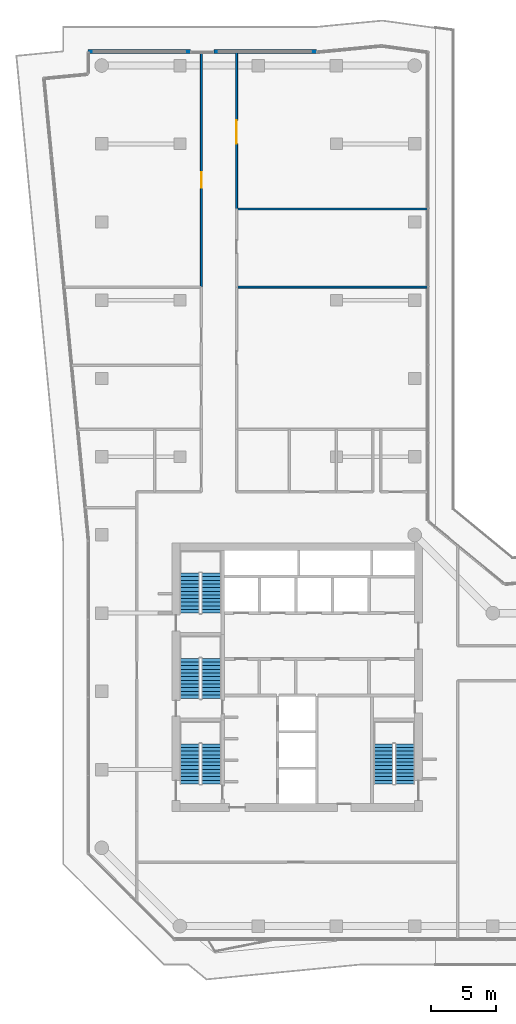
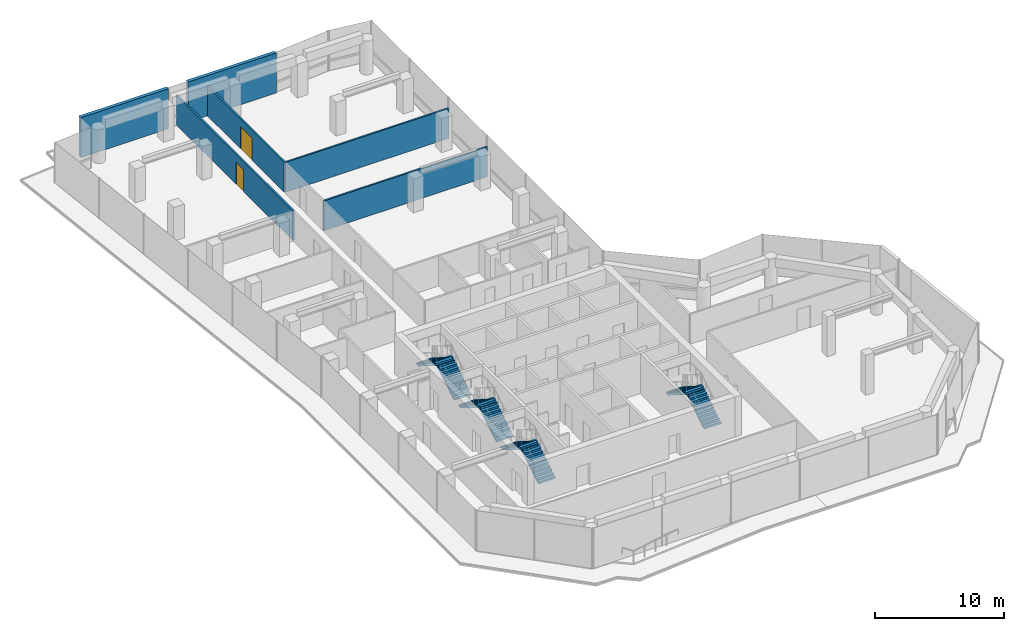
# One storey, part 20 of 22: 8 stair flights, 6 walls, 2 doors, 2 openings, 4 elements without a shape of their own.
"""IFC4 building model written with IfcOpenShell, lengths in metres."""

from ifc_helpers import new_model, si_unit, direction, frame, frame_2d, origin, place, context, subcontext, project, spatial, polyline, rectangle, outline, extrude, material, layer, layer_set, type_object, element, fill, aggregate, save


model = new_model("IFC4")

# Units and contexts
model_context = context("Model", 3, precision=1e-05, world=origin(), true_north=direction((0.0, 1.0)))
body_context = subcontext(model_context, "Body", "Model", "MODEL_VIEW")
ifc_project = project(units=[si_unit("LENGTHUNIT", "METRE"), si_unit("AREAUNIT", "SQUARE_METRE"), si_unit("VOLUMEUNIT", "CUBIC_METRE"), si_unit("PLANEANGLEUNIT", "RADIAN"), si_unit("MASSUNIT", "GRAM", prefix="KILO")], contexts=[model_context])

# Site, building, storey
site_placement = place(None, origin())
site = spatial("IfcSite", under=ifc_project, at=site_placement, CompositionType="ELEMENT")
building_placement = place(site_placement, origin())
building = spatial("IfcBuilding", under=site, at=building_placement, Name="Welwitschia Terrace Campus", CompositionType="ELEMENT")
storey_placement = place(building_placement, frame((0.0, 0.0, 192.800048828125)))
storey = spatial("IfcBuildingStorey", under=building, at=storey_placement, Name="L43", CompositionType="ELEMENT", Elevation=192.800048828125)

# Wall, opening, door
ifc_material_1 = material(Name="Gypsum board on steel studs", Category="steel")
ifc_layer_1 = layer(ifc_material_1, 0.14990234375)
ifc_layer_set_1 = layer_set([ifc_layer_1], Name="Gypsum board on steel studs")
wall_type_1 = type_object("IfcWallType", Name="Corridor partition 150 EI 30", PredefinedType="PARTITIONING", material=ifc_layer_set_1)
wall_1_placement = place(storey_placement, frame((7.64990234375, 45.0, 0.0), z_axis=(0.0, 0.0, 1.0), x_axis=(0.0, 1.0, 0.0)))
wall_1 = element("IfcWall", 1, at=wall_1_placement, inside=storey, type_object=wall_type_1, Name="Partition", PredefinedType="PARTITIONING", context=body_context, shape_type="SweptSolid", body=[
    extrude(rectangle(XDim=18.117919921875, YDim=0.14990234375, at=frame_2d((9.05908203125, 0.0))), origin(), (0.0, 0.0, 1.0), 2.829833984375),
])
opening_1_placement = place(wall_1_placement, frame((7.610107421875, 0.0, 0.0)))
opening_1 = element("IfcOpeningElement", 2, at=opening_1_placement, cuts=wall_1, Name="Opening DI12", PredefinedType="OPENING", context=body_context, shape_type="SweptSolid", body=[
    extrude(rectangle(XDim=1.199951171875, YDim=2.10009765625, at=frame_2d((0.60009765625, 1.050048828125))), frame((0.0, 0.0849609375, 0.0), z_axis=(0.0, -1.0, 0.0), x_axis=(1.0, 0.0, 0.0)), (0.0, 0.0, 1.0), 0.169921875),
])
ifc_material_2 = material(Name="Timber veneered door", Category="wood")
door_type_1 = type_object("IfcDoorType", Name="Interior door DI12", OperationType="NOTDEFINED", PredefinedType="DOOR", material=ifc_material_2)
door_1_placement = place(opening_1_placement, origin())
door_1 = element("IfcDoor", 3, at=door_1_placement, inside=storey, type_object=door_type_1, Name="Door L43 841", OperationType="SINGLE_SWING_RIGHT", OverallHeight=2.10009765625, OverallWidth=1.199951171875, PredefinedType="DOOR", context=body_context, shape_type="SweptSolid", body=[
    extrude(rectangle(XDim=1.199951171875, YDim=2.10009765625, at=frame_2d((0.60009765625, 1.050048828125))), frame((0.0, 0.02490234375, 0.0), z_axis=(0.0, -1.0, 0.0), x_axis=(1.0, 0.0, 0.0)), (0.0, 0.0, 1.0), 0.050048828125),
])
fill(opening_1, door_1)

# Wall
wall_2_placement = place(storey_placement, frame((10.35009765625, 45.0, 0.0), z_axis=(0.0, 0.0, 1.0), x_axis=(1.0, 0.0, 0.0)))
element("IfcWall", 4, at=wall_2_placement, inside=storey, type_object=wall_type_1, Name="Partition", PredefinedType="PARTITIONING", context=body_context, shape_type="SweptSolid", body=[
    extrude(rectangle(XDim=14.642822265625, YDim=0.14990234375, at=frame_2d((7.3212890625, 0.0))), origin(), (0.0, 0.0, 1.0), 2.829833984375),
])

# Wall, opening, door
wall_3_placement = place(storey_placement, frame((10.35009765625, 51.0, 0.0), z_axis=(0.0, 0.0, 1.0), x_axis=(0.0, 1.0, 0.0)))
wall_3 = element("IfcWall", 5, at=wall_3_placement, inside=storey, type_object=wall_type_1, Name="Partition", PredefinedType="PARTITIONING", context=body_context, shape_type="SweptSolid", body=[
    extrude(rectangle(XDim=12.117919921875, YDim=0.14990234375, at=frame_2d((6.05908203125, 0.0))), origin(), (0.0, 0.0, 1.0), 2.829833984375),
])
opening_2_placement = place(wall_3_placement, frame((5.0, 0.0, 0.0)))
opening_2 = element("IfcOpeningElement", 6, at=opening_2_placement, cuts=wall_3, Name="Opening DI18", PredefinedType="OPENING", context=body_context, shape_type="SweptSolid", body=[
    extrude(rectangle(XDim=1.800048828125, YDim=2.10009765625, at=frame_2d((0.89990234375, 1.050048828125))), frame((0.0, 0.0849609375, 0.0), z_axis=(0.0, -1.0, 0.0), x_axis=(1.0, 0.0, 0.0)), (0.0, 0.0, 1.0), 0.169921875),
])
ifc_material_3 = material(Name="Timber veneered door", Category="wood")
door_type_2 = type_object("IfcDoorType", Name="Interior door DI18", OperationType="DOUBLE_DOOR_SINGLE_SWING", PredefinedType="DOOR", material=ifc_material_3)
door_2_placement = place(opening_2_placement, origin())
door_2 = element("IfcDoor", 7, at=door_2_placement, inside=storey, type_object=door_type_2, Name="Door L43 844", OperationType="SINGLE_SWING_LEFT", OverallHeight=2.10009765625, OverallWidth=1.800048828125, PredefinedType="DOOR", context=body_context, shape_type="SweptSolid", body=[
    extrude(rectangle(XDim=1.800048828125, YDim=2.10009765625, at=frame_2d((0.89990234375, 1.050048828125))), frame((0.0, 0.02490234375, 0.0), z_axis=(0.0, -1.0, 0.0), x_axis=(1.0, 0.0, 0.0)), (0.0, 0.0, 1.0), 0.050048828125),
])
fill(opening_2, door_2)

# Walls
wall_4_placement = place(storey_placement, frame((10.35009765625, 51.0, 0.0), z_axis=(0.0, 0.0, 1.0), x_axis=(1.0, 0.0, 0.0)))
element("IfcWall", 8, at=wall_4_placement, inside=storey, type_object=wall_type_1, Name="Partition", PredefinedType="PARTITIONING", context=body_context, shape_type="SweptSolid", body=[
    extrude(rectangle(XDim=14.642822265625, YDim=0.14990234375, at=frame_2d((7.3212890625, 0.0))), origin(), (0.0, 0.0, 1.0), 2.829833984375),
])
ifc_material_4 = material(Name="Concrete C40/50", Category="concrete")
ifc_layer_2 = layer(ifc_material_4, 0.300048828125)
ifc_layer_set_2 = layer_set([ifc_layer_2], Name="Concrete C40/50")
wall_type_2 = type_object("IfcWallType", Name="Mass wall 300", PredefinedType="SOLIDWALL", material=ifc_layer_set_2)
for number, where, z_axis, x_axis, name in (
    (9, (16.455810546875, 63.080078125, 0.0), (0.0, 0.0, 1.0), (-1.0, 0.0, 0.0), "Mass wall L43.13.0"),
    (10, (6.798828125, 63.07373046875, 0.0), (0.0, 0.0, 1.0), (-1.0, 0.0, 0.0), "Mass wall L43.13.1"),
):
    element("IfcWall", number, at=place(storey_placement, frame(where, z_axis=z_axis, x_axis=x_axis)), inside=storey, type_object=wall_type_2, Name=name, PredefinedType="SOLIDWALL", context=body_context, shape_type="SweptSolid", body=[
        extrude(rectangle(XDim=7.85693359375, YDim=0.300048828125, at=frame_2d((3.928466796875, 0.0))), origin(), (0.0, 0.0, 1.0), 3.800048828125),
    ])

# Stair, stair flights
ifc_material_5 = material(Name="Concrete C40/50", Category="concrete")
stair_type = type_object("IfcStairType", Name="Stair 24R 175 W1500", PredefinedType="HALF_TURN_STAIR", material=ifc_material_5)
stair_1_placement = place(storey_placement, origin())
stair_1 = element("IfcStair", 11, at=stair_1_placement, inside=storey, type_object=stair_type, Name="L43 Exit stair S1", PredefinedType="HALF_TURN_STAIR")
ifc_material_6 = material(Name="Concrete C40/50", Category="concrete")
stair_flight_type = type_object("IfcStairFlightType", Name="Stair flight 24R 175 W1500", PredefinedType="STRAIGHT", material=ifc_material_6)
stair_flight_1_placement = place(storey_placement, frame((8.39990234375, 6.89990234375, 0.0), z_axis=(0.0, 0.0, 1.0), x_axis=(0.0, 1.0, 0.0)))
stair_flight_1 = element("IfcStairFlight", 12, at=stair_flight_1_placement, type_object=stair_flight_type, Name="S1 flight 1", NumberOfRisers=12, NumberOfTreads=11, PredefinedType="STRAIGHT", RiserHeight=0.175, TreadLength=0.28, context=body_context, shape_type="SweptSolid", body=[
    extrude(outline(polyline([(0.0, 0.0), (0.0, 0.175048828125), (0.280029296875, 0.175048828125), (0.280029296875, 0.35009765625), (0.56005859375, 0.35009765625), (0.56005859375, 0.52490234375), (0.840087890625, 0.52490234375), (0.840087890625, 0.699951171875), (1.1201171875, 0.699951171875), (1.1201171875, 0.875), (1.39990234375, 0.875), (1.39990234375, 1.050048828125), (1.679931640625, 1.050048828125), (1.679931640625, 1.22509765625), (1.9599609375, 1.22509765625), (1.9599609375, 1.39990234375), (2.239990234375, 1.39990234375), (2.239990234375, 1.574951171875), (2.52001953125, 1.574951171875), (2.52001953125, 1.75), (2.800048828125, 1.75), (2.800048828125, 1.925048828125), (3.080078125, 1.925048828125), (3.080078125, 2.10009765625), (3.080078125, 1.748291015625), (0.28271484375, 0.0), (0.0, 0.0)])), frame((0.0, 0.75, 0.0), z_axis=(0.0, -1.0, 0.0), x_axis=(1.0, 0.0, 0.0)), (0.0, 0.0, 1.0), 1.5),
])
stair_flight_2_placement = place(storey_placement, frame((6.75, 9.97998046875, 2.099853515625), z_axis=(0.0, 0.0, 1.0), x_axis=(0.0, -1.0, 0.0)))
stair_flight_2 = element("IfcStairFlight", 13, at=stair_flight_2_placement, type_object=stair_flight_type, Name="S1 flight 2", NumberOfRisers=12, NumberOfTreads=11, PredefinedType="STRAIGHT", RiserHeight=0.175, TreadLength=0.28, context=body_context, shape_type="SweptSolid", body=[
    extrude(outline(polyline([(0.0, 0.0), (0.0, 0.175048828125), (0.280029296875, 0.175048828125), (0.280029296875, 0.35009765625), (0.56005859375, 0.35009765625), (0.56005859375, 0.52490234375), (0.840087890625, 0.52490234375), (0.840087890625, 0.699951171875), (1.1201171875, 0.699951171875), (1.1201171875, 0.875), (1.39990234375, 0.875), (1.39990234375, 1.050048828125), (1.679931640625, 1.050048828125), (1.679931640625, 1.22509765625), (1.9599609375, 1.22509765625), (1.9599609375, 1.39990234375), (2.239990234375, 1.39990234375), (2.239990234375, 1.574951171875), (2.52001953125, 1.574951171875), (2.52001953125, 1.75), (2.800048828125, 1.75), (2.800048828125, 1.925048828125), (3.080078125, 1.925048828125), (3.080078125, 2.10009765625), (3.080078125, 1.748291015625), (0.28271484375, 0.0), (0.0, 0.0)])), frame((0.0, 0.75, 0.0), z_axis=(0.0, -1.0, 0.0), x_axis=(1.0, 0.0, 0.0)), (0.0, 0.0, 1.0), 1.5),
])
aggregate(stair_1, [stair_flight_1, stair_flight_2])

stair_2_placement = place(storey_placement, origin())
stair_2 = element("IfcStair", 14, at=stair_2_placement, inside=storey, type_object=stair_type, Name="L43 Exit stair S3", PredefinedType="HALF_TURN_STAIR")
stair_flight_3_placement = place(storey_placement, frame((8.39990234375, 13.449951171875, 0.0), z_axis=(0.0, 0.0, 1.0), x_axis=(0.0, 1.0, 0.0)))
stair_flight_3 = element("IfcStairFlight", 15, at=stair_flight_3_placement, type_object=stair_flight_type, Name="S3 flight 1", NumberOfRisers=12, NumberOfTreads=11, PredefinedType="STRAIGHT", RiserHeight=0.175, TreadLength=0.28, context=body_context, shape_type="SweptSolid", body=[
    extrude(outline(polyline([(0.0, 0.0), (0.0, 0.175048828125), (0.280029296875, 0.175048828125), (0.280029296875, 0.35009765625), (0.56005859375, 0.35009765625), (0.56005859375, 0.52490234375), (0.840087890625, 0.52490234375), (0.840087890625, 0.699951171875), (1.1201171875, 0.699951171875), (1.1201171875, 0.875), (1.39990234375, 0.875), (1.39990234375, 1.050048828125), (1.679931640625, 1.050048828125), (1.679931640625, 1.22509765625), (1.9599609375, 1.22509765625), (1.9599609375, 1.39990234375), (2.239990234375, 1.39990234375), (2.239990234375, 1.574951171875), (2.52001953125, 1.574951171875), (2.52001953125, 1.75), (2.800048828125, 1.75), (2.800048828125, 1.925048828125), (3.080078125, 1.925048828125), (3.080078125, 2.10009765625), (3.080078125, 1.748291015625), (0.28271484375, 0.0), (0.0, 0.0)])), frame((0.0, 0.75, 0.0), z_axis=(0.0, -1.0, 0.0), x_axis=(1.0, 0.0, 0.0)), (0.0, 0.0, 1.0), 1.5),
])
stair_flight_4_placement = place(storey_placement, frame((6.75, 16.530029296875, 2.099853515625), z_axis=(0.0, 0.0, 1.0), x_axis=(0.0, -1.0, 0.0)))
stair_flight_4 = element("IfcStairFlight", 16, at=stair_flight_4_placement, type_object=stair_flight_type, Name="S3 flight 2", NumberOfRisers=12, NumberOfTreads=11, PredefinedType="STRAIGHT", RiserHeight=0.175, TreadLength=0.28, context=body_context, shape_type="SweptSolid", body=[
    extrude(outline(polyline([(0.0, 0.0), (0.0, 0.175048828125), (0.280029296875, 0.175048828125), (0.280029296875, 0.35009765625), (0.56005859375, 0.35009765625), (0.56005859375, 0.52490234375), (0.840087890625, 0.52490234375), (0.840087890625, 0.699951171875), (1.1201171875, 0.699951171875), (1.1201171875, 0.875), (1.39990234375, 0.875), (1.39990234375, 1.050048828125), (1.679931640625, 1.050048828125), (1.679931640625, 1.22509765625), (1.9599609375, 1.22509765625), (1.9599609375, 1.39990234375), (2.239990234375, 1.39990234375), (2.239990234375, 1.574951171875), (2.52001953125, 1.574951171875), (2.52001953125, 1.75), (2.800048828125, 1.75), (2.800048828125, 1.925048828125), (3.080078125, 1.925048828125), (3.080078125, 2.10009765625), (3.080078125, 1.748291015625), (0.28271484375, 0.0), (0.0, 0.0)])), frame((0.0, 0.75, 0.0), z_axis=(0.0, -1.0, 0.0), x_axis=(1.0, 0.0, 0.0)), (0.0, 0.0, 1.0), 1.5),
])
aggregate(stair_2, [stair_flight_3, stair_flight_4])

stair_3_placement = place(storey_placement, origin())
stair_3 = element("IfcStair", 17, at=stair_3_placement, inside=storey, type_object=stair_type, Name="L43 Exit stair S4", PredefinedType="HALF_TURN_STAIR")
stair_flight_5_placement = place(storey_placement, frame((8.39990234375, 20.0, 0.0), z_axis=(0.0, 0.0, 1.0), x_axis=(0.0, 1.0, 0.0)))
stair_flight_5 = element("IfcStairFlight", 18, at=stair_flight_5_placement, type_object=stair_flight_type, Name="S4 flight 1", NumberOfRisers=12, NumberOfTreads=11, PredefinedType="STRAIGHT", RiserHeight=0.175, TreadLength=0.28, context=body_context, shape_type="SweptSolid", body=[
    extrude(outline(polyline([(0.0, 0.0), (0.0, 0.175048828125), (0.280029296875, 0.175048828125), (0.280029296875, 0.35009765625), (0.56005859375, 0.35009765625), (0.56005859375, 0.52490234375), (0.840087890625, 0.52490234375), (0.840087890625, 0.699951171875), (1.1201171875, 0.699951171875), (1.1201171875, 0.875), (1.39990234375, 0.875), (1.39990234375, 1.050048828125), (1.679931640625, 1.050048828125), (1.679931640625, 1.22509765625), (1.9599609375, 1.22509765625), (1.9599609375, 1.39990234375), (2.239990234375, 1.39990234375), (2.239990234375, 1.574951171875), (2.52001953125, 1.574951171875), (2.52001953125, 1.75), (2.800048828125, 1.75), (2.800048828125, 1.925048828125), (3.080078125, 1.925048828125), (3.080078125, 2.10009765625), (3.080078125, 1.748291015625), (0.28271484375, 0.0), (0.0, 0.0)])), frame((0.0, 0.75, 0.0), z_axis=(0.0, -1.0, 0.0), x_axis=(1.0, 0.0, 0.0)), (0.0, 0.0, 1.0), 1.5),
])
stair_flight_6_placement = place(storey_placement, frame((6.75, 23.080078125, 2.099853515625), z_axis=(0.0, 0.0, 1.0), x_axis=(0.0, -1.0, 0.0)))
stair_flight_6 = element("IfcStairFlight", 19, at=stair_flight_6_placement, type_object=stair_flight_type, Name="S4 flight 2", NumberOfRisers=12, NumberOfTreads=11, PredefinedType="STRAIGHT", RiserHeight=0.175, TreadLength=0.28, context=body_context, shape_type="SweptSolid", body=[
    extrude(outline(polyline([(0.0, 0.0), (0.0, 0.175048828125), (0.280029296875, 0.175048828125), (0.280029296875, 0.35009765625), (0.56005859375, 0.35009765625), (0.56005859375, 0.52490234375), (0.840087890625, 0.52490234375), (0.840087890625, 0.699951171875), (1.1201171875, 0.699951171875), (1.1201171875, 0.875), (1.39990234375, 0.875), (1.39990234375, 1.050048828125), (1.679931640625, 1.050048828125), (1.679931640625, 1.22509765625), (1.9599609375, 1.22509765625), (1.9599609375, 1.39990234375), (2.239990234375, 1.39990234375), (2.239990234375, 1.574951171875), (2.52001953125, 1.574951171875), (2.52001953125, 1.75), (2.800048828125, 1.75), (2.800048828125, 1.925048828125), (3.080078125, 1.925048828125), (3.080078125, 2.10009765625), (3.080078125, 1.748291015625), (0.28271484375, 0.0), (0.0, 0.0)])), frame((0.0, 0.75, 0.0), z_axis=(0.0, -1.0, 0.0), x_axis=(1.0, 0.0, 0.0)), (0.0, 0.0, 1.0), 1.5),
])
aggregate(stair_3, [stair_flight_5, stair_flight_6])

stair_4_placement = place(storey_placement, origin())
stair_4 = element("IfcStair", 20, at=stair_4_placement, inside=storey, type_object=stair_type, Name="L43 Exit stair S2", PredefinedType="HALF_TURN_STAIR")
stair_flight_7_placement = place(storey_placement, frame((23.25, 6.89990234375, 0.0), z_axis=(0.0, 0.0, 1.0), x_axis=(0.0, 1.0, 0.0)))
stair_flight_7 = element("IfcStairFlight", 21, at=stair_flight_7_placement, type_object=stair_flight_type, Name="S2 flight 1", NumberOfRisers=12, NumberOfTreads=11, PredefinedType="STRAIGHT", RiserHeight=0.175, TreadLength=0.28, context=body_context, shape_type="SweptSolid", body=[
    extrude(outline(polyline([(0.0, 0.0), (0.0, 0.175048828125), (0.280029296875, 0.175048828125), (0.280029296875, 0.35009765625), (0.56005859375, 0.35009765625), (0.56005859375, 0.52490234375), (0.840087890625, 0.52490234375), (0.840087890625, 0.699951171875), (1.1201171875, 0.699951171875), (1.1201171875, 0.875), (1.39990234375, 0.875), (1.39990234375, 1.050048828125), (1.679931640625, 1.050048828125), (1.679931640625, 1.22509765625), (1.9599609375, 1.22509765625), (1.9599609375, 1.39990234375), (2.239990234375, 1.39990234375), (2.239990234375, 1.574951171875), (2.52001953125, 1.574951171875), (2.52001953125, 1.75), (2.800048828125, 1.75), (2.800048828125, 1.925048828125), (3.080078125, 1.925048828125), (3.080078125, 2.10009765625), (3.080078125, 1.748291015625), (0.28271484375, 0.0), (0.0, 0.0)])), frame((0.0, 0.75, 0.0), z_axis=(0.0, -1.0, 0.0), x_axis=(1.0, 0.0, 0.0)), (0.0, 0.0, 1.0), 1.5),
])
stair_flight_8_placement = place(storey_placement, frame((21.60009765625, 9.97998046875, 2.099853515625), z_axis=(0.0, 0.0, 1.0), x_axis=(0.0, -1.0, 0.0)))
stair_flight_8 = element("IfcStairFlight", 22, at=stair_flight_8_placement, type_object=stair_flight_type, Name="S2 flight 2", NumberOfRisers=12, NumberOfTreads=11, PredefinedType="STRAIGHT", RiserHeight=0.175, TreadLength=0.28, context=body_context, shape_type="SweptSolid", body=[
    extrude(outline(polyline([(0.0, 0.0), (0.0, 0.175048828125), (0.280029296875, 0.175048828125), (0.280029296875, 0.35009765625), (0.56005859375, 0.35009765625), (0.56005859375, 0.52490234375), (0.840087890625, 0.52490234375), (0.840087890625, 0.699951171875), (1.1201171875, 0.699951171875), (1.1201171875, 0.875), (1.39990234375, 0.875), (1.39990234375, 1.050048828125), (1.679931640625, 1.050048828125), (1.679931640625, 1.22509765625), (1.9599609375, 1.22509765625), (1.9599609375, 1.39990234375), (2.239990234375, 1.39990234375), (2.239990234375, 1.574951171875), (2.52001953125, 1.574951171875), (2.52001953125, 1.75), (2.800048828125, 1.75), (2.800048828125, 1.925048828125), (3.080078125, 1.925048828125), (3.080078125, 2.10009765625), (3.080078125, 1.748291015625), (0.28271484375, 0.0), (0.0, 0.0)])), frame((0.0, 0.75, 0.0), z_axis=(0.0, -1.0, 0.0), x_axis=(1.0, 0.0, 0.0)), (0.0, 0.0, 1.0), 1.5),
])
aggregate(stair_4, [stair_flight_7, stair_flight_8])

save(model, "model.ifc")
